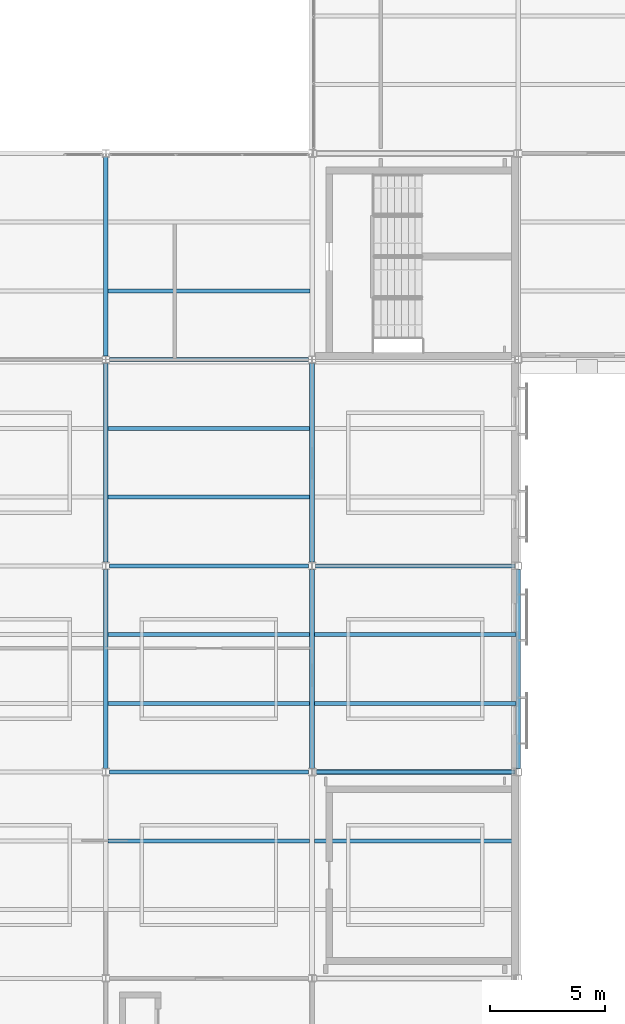
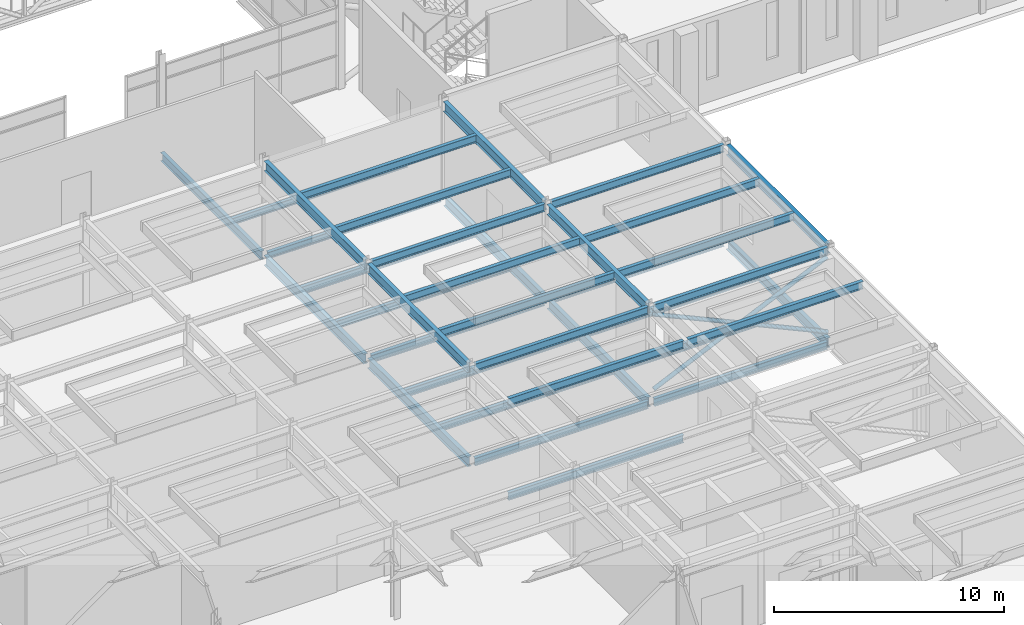
# One storey, part 32 of 115: 36 beams, 2 members.
"""IFC4 building model written with IfcOpenShell, lengths in metres."""

from ifc_helpers import new_model, si_unit, direction, frame, origin, origin_2d, place, context, subcontext, project, spatial, hollow_circle, i_section, extrude, material, material_profile, profile_set, type_object, element, save


model = new_model("IFC4")

# Units and contexts
model_context = context("Model", 3, precision=1e-05, world=origin(), true_north=direction((0.0, 1.0)))
body_context = subcontext(model_context, "Body", "Model", "MODEL_VIEW")
ifc_project = project(units=[si_unit("LENGTHUNIT", "METRE"), si_unit("AREAUNIT", "SQUARE_METRE"), si_unit("VOLUMEUNIT", "CUBIC_METRE"), si_unit("PLANEANGLEUNIT", "RADIAN"), si_unit("MASSUNIT", "GRAM", prefix="KILO")], contexts=[model_context])

# Site, building, storey
site_placement = place(None, origin())
site = spatial("IfcSite", under=ifc_project, at=site_placement, CompositionType="ELEMENT")
building_placement = place(site_placement, origin())
building = spatial("IfcBuilding", under=site, at=building_placement, Name="Shorebreak Coast Museum", CompositionType="ELEMENT")
storey_placement = place(building_placement, frame((0.0, 0.0, 11.0)))
storey = spatial("IfcBuildingStorey", under=building, at=storey_placement, Name="L02", CompositionType="ELEMENT", Elevation=11.0)

# Beams
ifc_material_1 = material(Name="Steel Grade 300", Category="steel")
ifc_material_profile_1 = material_profile(ifc_material_1, i_section(OverallWidth=0.172119140625, OverallDepth=0.358642578125, WebThickness=0.008056640625, FlangeThickness=0.012939453125, FilletRadius=0.011474609375, at=origin_2d()), Name="360UB56.7")
ifc_profile_set_1 = profile_set([ifc_material_profile_1], Name="Steel Grade 300")
beam_type_1 = type_object("IfcBeamType", Name="Floor girder east-west 360UB56.7", PredefinedType="BEAM", material=ifc_profile_set_1)
beam_1_placement = place(storey_placement, frame((99.154541015625, 54.0, -0.354248046875), z_axis=(1.0, 0.0, 0.0), x_axis=(0.0, 1.0, 0.0)))
element("IfcBeam", 1, at=beam_1_placement, inside=storey, type_object=beam_type_1, Name="Floor girder east-west L02 12G", PredefinedType="BEAM", context=body_context, shape_type="SweptSolid", body=[
    extrude(i_section(OverallWidth=0.172119140625, OverallDepth=0.358642578125, WebThickness=0.008056640625, FlangeThickness=0.012939453125, FilletRadius=0.011474609375, at=origin_2d()), origin(), (0.0, 0.0, 1.0), 8.69091796875),
])
ifc_material_2 = material(Name="Steel Grade 300", Category="steel")
ifc_material_profile_2 = material_profile(ifc_material_2, i_section(OverallWidth=0.177978515625, OverallDepth=0.406494140625, WebThickness=0.0078125, FlangeThickness=0.0126953125, FilletRadius=0.011474609375, at=origin_2d()), Name="410UB59.7")
ifc_profile_set_2 = profile_set([ifc_material_profile_2], Name="Steel Grade 300")
beam_type_2 = type_object("IfcBeamType", Name="Floor girder east-west 410UB59.7", PredefinedType="BEAM", material=ifc_profile_set_2)
beam_2_placement = place(storey_placement, frame((99.154541015625, 36.0, -0.378173828125), z_axis=(1.0, 0.0, 0.0), x_axis=(0.0, 1.0, 0.0)))
element("IfcBeam", 2, at=beam_2_placement, inside=storey, type_object=beam_type_2, Name="Floor girder east-west L02 12E", PredefinedType="BEAM", context=body_context, shape_type="SweptSolid", body=[
    extrude(i_section(OverallWidth=0.177978515625, OverallDepth=0.406494140625, WebThickness=0.0078125, FlangeThickness=0.0126953125, FilletRadius=0.011474609375, at=origin_2d()), origin(), (0.0, 0.0, 1.0), 8.69091796875),
])
beam_3_placement = place(storey_placement, frame((108.154541015625, 36.0, -0.378173828125), z_axis=(1.0, 0.0, 0.0), x_axis=(0.0, 1.0, 0.0)))
element("IfcBeam", 3, at=beam_3_placement, inside=storey, type_object=beam_type_2, Name="Floor girder east-west L02 13E", PredefinedType="BEAM", context=body_context, shape_type="SweptSolid", body=[
    extrude(i_section(OverallWidth=0.177978515625, OverallDepth=0.406494140625, WebThickness=0.0078125, FlangeThickness=0.0126953125, FilletRadius=0.011474609375, at=origin_2d()), origin(), (0.0, 0.0, 1.0), 8.695556640625),
])
beam_4_placement = place(storey_placement, frame((99.154541015625, 45.0, -0.378173828125), z_axis=(1.0, 0.0, 0.0), x_axis=(0.0, 1.0, 0.0)))
element("IfcBeam", 4, at=beam_4_placement, inside=storey, type_object=beam_type_2, Name="Floor girder east-west L02 12F", PredefinedType="BEAM", context=body_context, shape_type="SweptSolid", body=[
    extrude(i_section(OverallWidth=0.177978515625, OverallDepth=0.406494140625, WebThickness=0.0078125, FlangeThickness=0.0126953125, FilletRadius=0.011474609375, at=origin_2d()), origin(), (0.0, 0.0, 1.0), 8.69091796875),
])
beam_5_placement = place(storey_placement, frame((108.154541015625, 45.0, -0.378173828125), z_axis=(1.0, 0.0, 0.0), x_axis=(0.0, 1.0, 0.0)))
element("IfcBeam", 5, at=beam_5_placement, inside=storey, type_object=beam_type_2, Name="Floor girder east-west L02 13F", PredefinedType="BEAM", context=body_context, shape_type="SweptSolid", body=[
    extrude(i_section(OverallWidth=0.177978515625, OverallDepth=0.406494140625, WebThickness=0.0078125, FlangeThickness=0.0126953125, FilletRadius=0.011474609375, at=origin_2d()), origin(), (0.0, 0.0, 1.0), 8.695556640625),
])
ifc_material_3 = material(Name="Steel Grade 300", Category="steel")
ifc_material_profile_3 = material_profile(ifc_material_3, i_section(OverallWidth=0.19091796875, OverallDepth=0.46044921875, WebThickness=0.010009765625, FlangeThickness=0.01611328125, FilletRadius=0.011474609375, at=origin_2d()), Name="460UB82.1")
ifc_profile_set_3 = profile_set([ifc_material_profile_3], Name="Steel Grade 300")
beam_type_3 = type_object("IfcBeamType", Name="Floor girder north-south 460UB82.1", PredefinedType="BEAM", material=ifc_profile_set_3)
beam_6_placement = place(storey_placement, frame((99.0, 54.160400390625, -0.4052734375), z_axis=(0.0, 1.0, 0.0), x_axis=(-1.0, 0.0, 0.0)))
element("IfcBeam", 6, at=beam_6_placement, inside=storey, type_object=beam_type_3, Name="Floor girder north-south L02 12G", PredefinedType="BEAM", context=body_context, shape_type="SweptSolid", body=[
    extrude(i_section(OverallWidth=0.19091796875, OverallDepth=0.46044921875, WebThickness=0.010009765625, FlangeThickness=0.01611328125, FilletRadius=0.011474609375, at=origin_2d()), origin(), (0.0, 0.0, 1.0), 8.676025390625),
])
ifc_material_4 = material(Name="Steel Grade 300", Category="steel")
ifc_material_profile_4 = material_profile(ifc_material_4, i_section(OverallWidth=0.208984375, OverallDepth=0.5283203125, WebThickness=0.009521484375, FlangeThickness=0.01318359375, FilletRadius=0.013916015625, at=origin_2d()), Name="530UB82.0")
ifc_profile_set_4 = profile_set([ifc_material_profile_4], Name="Steel Grade 300")
beam_type_4 = type_object("IfcBeamType", Name="Floor girder north-south 530UB82.0", PredefinedType="BEAM", material=ifc_profile_set_4)
for number, where, z_axis, x_axis, name in (
    (7, (99.0, 36.160400390625, -0.439208984375), (0.0, 1.0, 0.0), (-1.0, 0.0, 0.0), "Floor girder north-south L02 12E"),
    (8, (108.0, 36.160400390625, -0.439208984375), (0.0, 1.0, 0.0), (-1.0, 0.0, 0.0), "Floor girder north-south L02 13E"),
):
    element("IfcBeam", number, at=place(storey_placement, frame(where, z_axis=z_axis, x_axis=x_axis)), inside=storey, type_object=beam_type_4, Name=name, PredefinedType="BEAM", context=body_context, shape_type="SweptSolid", body=[
        extrude(i_section(OverallWidth=0.208984375, OverallDepth=0.5283203125, WebThickness=0.009521484375, FlangeThickness=0.01318359375, FilletRadius=0.013916015625, at=origin_2d()), origin(), (0.0, 0.0, 1.0), 8.67919921875),
    ])
beam_7_placement = place(storey_placement, frame((117.0, 36.14990234375, -0.439208984375), z_axis=(0.0, 1.0, 0.0), x_axis=(-1.0, 0.0, 0.0)))
element("IfcBeam", 9, at=beam_7_placement, inside=storey, type_object=beam_type_4, Name="Floor girder north-south L02 14E", PredefinedType="BEAM", context=body_context, shape_type="SweptSolid", body=[
    extrude(i_section(OverallWidth=0.208984375, OverallDepth=0.5283203125, WebThickness=0.009521484375, FlangeThickness=0.01318359375, FilletRadius=0.013916015625, at=origin_2d()), origin(), (0.0, 0.0, 1.0), 8.7001953125),
])
for number, where, z_axis, x_axis, name in (
    (10, (99.0, 45.160400390625, -0.439208984375), (0.0, 1.0, 0.0), (-1.0, 0.0, 0.0), "Floor girder north-south L02 12F"),
    (11, (108.0, 45.160400390625, -0.439208984375), (0.0, 1.0, 0.0), (-1.0, 0.0, 0.0), "Floor girder north-south L02 13F"),
):
    element("IfcBeam", number, at=place(storey_placement, frame(where, z_axis=z_axis, x_axis=x_axis)), inside=storey, type_object=beam_type_4, Name=name, PredefinedType="BEAM", context=body_context, shape_type="SweptSolid", body=[
        extrude(i_section(OverallWidth=0.208984375, OverallDepth=0.5283203125, WebThickness=0.009521484375, FlangeThickness=0.01318359375, FilletRadius=0.013916015625, at=origin_2d()), origin(), (0.0, 0.0, 1.0), 8.67919921875),
    ])
ifc_material_5 = material(Name="Steel Grade 300", Category="steel")
ifc_material_profile_5 = material_profile(ifc_material_5, i_section(OverallWidth=0.1708984375, OverallDepth=0.35205078125, WebThickness=0.0068359375, FlangeThickness=0.009765625, FilletRadius=0.011474609375, at=origin_2d()), Name="360UB44.7")
ifc_profile_set_5 = profile_set([ifc_material_profile_5], Name="Steel Grade 300")
beam_type_5 = type_object("IfcBeamType", Name="Floor joist 360UB44.7", PredefinedType="JOIST", material=ifc_profile_set_5)
beam_8_placement = place(storey_placement, frame((99.095458984375, 57.0, -0.35107421875), z_axis=(1.0, 0.0, 0.0), x_axis=(0.0, 1.0, 0.0)))
element("IfcBeam", 12, at=beam_8_placement, inside=storey, type_object=beam_type_5, Name="Floor joist L02 bay 12G at 3000 mm", PredefinedType="JOIST", context=body_context, shape_type="SweptSolid", body=[
    extrude(i_section(OverallWidth=0.1708984375, OverallDepth=0.35205078125, WebThickness=0.0068359375, FlangeThickness=0.009765625, FilletRadius=0.011474609375, at=origin_2d()), origin(), (0.0, 0.0, 1.0), 8.80908203125),
])
ifc_material_6 = material(Name="Steel Grade 300", Category="steel")
ifc_material_profile_6 = material_profile(ifc_material_6, i_section(OverallWidth=0.177978515625, OverallDepth=0.406494140625, WebThickness=0.0078125, FlangeThickness=0.0126953125, FilletRadius=0.011474609375, at=origin_2d()), Name="410UB59.7")
ifc_profile_set_6 = profile_set([ifc_material_profile_6], Name="Steel Grade 300")
beam_type_6 = type_object("IfcBeamType", Name="Floor joist 410UB59.7", PredefinedType="JOIST", material=ifc_profile_set_6)
for number, where, z_axis, x_axis, name in (
    (13, (99.1044921875, 33.0, -0.378173828125), (1.0, 0.0, 0.0), (0.0, 1.0, 0.0), "Floor joist L02 bay 12D at 6000 mm"),
    (14, (99.1044921875, 39.0, -0.378173828125), (1.0, 0.0, 0.0), (0.0, 1.0, 0.0), "Floor joist L02 bay 12E at 3000 mm"),
    (15, (99.1044921875, 42.0, -0.378173828125), (1.0, 0.0, 0.0), (0.0, 1.0, 0.0), "Floor joist L02 bay 12E at 6000 mm"),
    (16, (108.1044921875, 39.0, -0.378173828125), (1.0, 0.0, 0.0), (0.0, 1.0, 0.0), "Floor joist L02 bay 13E at 3000 mm"),
    (17, (108.1044921875, 42.0, -0.378173828125), (1.0, 0.0, 0.0), (0.0, 1.0, 0.0), "Floor joist L02 bay 13E at 6000 mm"),
    (18, (99.1044921875, 48.0, -0.378173828125), (1.0, 0.0, 0.0), (0.0, 1.0, 0.0), "Floor joist L02 bay 12F at 3000 mm"),
    (19, (99.1044921875, 51.0, -0.378173828125), (1.0, 0.0, 0.0), (0.0, 1.0, 0.0), "Floor joist L02 bay 12F at 6000 mm"),
):
    element("IfcBeam", number, at=place(storey_placement, frame(where, z_axis=z_axis, x_axis=x_axis)), inside=storey, type_object=beam_type_6, Name=name, PredefinedType="JOIST", context=body_context, shape_type="SweptSolid", body=[
        extrude(i_section(OverallWidth=0.177978515625, OverallDepth=0.406494140625, WebThickness=0.0078125, FlangeThickness=0.0126953125, FilletRadius=0.011474609375, at=origin_2d()), origin(), (0.0, 0.0, 1.0), 8.791015625),
    ])
ifc_material_7 = material(Name="Steel Grade 300", Category="steel")
ifc_material_profile_7 = material_profile(ifc_material_7, i_section(OverallWidth=0.177978515625, OverallDepth=0.406494140625, WebThickness=0.0078125, FlangeThickness=0.0126953125, FilletRadius=0.011474609375, at=origin_2d()), Name="410UB59.7")
ifc_profile_set_7 = profile_set([ifc_material_profile_7], Name="Steel Grade 300")
beam_type_7 = type_object("IfcBeamType", Name="Roof deck girder east-west 410UB59.7", PredefinedType="BEAM", material=ifc_profile_set_7)
beam_9_placement = place(storey_placement, frame((99.153564453125, 36.0, 4.621826171875), z_axis=(1.0, 0.0, 0.0), x_axis=(0.0, 1.0, 0.0)))
element("IfcBeam", 20, at=beam_9_placement, inside=storey, type_object=beam_type_7, Name="Roof deck girder east-west L03 12E", PredefinedType="BEAM", context=body_context, shape_type="SweptSolid", body=[
    extrude(i_section(OverallWidth=0.177978515625, OverallDepth=0.406494140625, WebThickness=0.0078125, FlangeThickness=0.0126953125, FilletRadius=0.011474609375, at=origin_2d()), origin(), (0.0, 0.0, 1.0), 8.69287109375),
])
beam_10_placement = place(storey_placement, frame((108.153564453125, 36.0, 4.621826171875), z_axis=(1.0, 0.0, 0.0), x_axis=(0.0, 1.0, 0.0)))
element("IfcBeam", 21, at=beam_10_placement, inside=storey, type_object=beam_type_7, Name="Roof deck girder east-west L03 13E", PredefinedType="BEAM", context=body_context, shape_type="SweptSolid", body=[
    extrude(i_section(OverallWidth=0.177978515625, OverallDepth=0.406494140625, WebThickness=0.0078125, FlangeThickness=0.0126953125, FilletRadius=0.011474609375, at=origin_2d()), origin(), (0.0, 0.0, 1.0), 8.696533203125),
])
beam_11_placement = place(storey_placement, frame((99.153564453125, 45.0, 4.621826171875), z_axis=(1.0, 0.0, 0.0), x_axis=(0.0, 1.0, 0.0)))
element("IfcBeam", 22, at=beam_11_placement, inside=storey, type_object=beam_type_7, Name="Roof deck girder east-west L03 12F", PredefinedType="BEAM", context=body_context, shape_type="SweptSolid", body=[
    extrude(i_section(OverallWidth=0.177978515625, OverallDepth=0.406494140625, WebThickness=0.0078125, FlangeThickness=0.0126953125, FilletRadius=0.011474609375, at=origin_2d()), origin(), (0.0, 0.0, 1.0), 8.69287109375),
])
beam_12_placement = place(storey_placement, frame((108.153564453125, 45.0, 4.621826171875), z_axis=(1.0, 0.0, 0.0), x_axis=(0.0, 1.0, 0.0)))
element("IfcBeam", 23, at=beam_12_placement, inside=storey, type_object=beam_type_7, Name="Roof deck girder east-west L03 13F", PredefinedType="BEAM", context=body_context, shape_type="SweptSolid", body=[
    extrude(i_section(OverallWidth=0.177978515625, OverallDepth=0.406494140625, WebThickness=0.0078125, FlangeThickness=0.0126953125, FilletRadius=0.011474609375, at=origin_2d()), origin(), (0.0, 0.0, 1.0), 8.696533203125),
])
ifc_material_8 = material(Name="Steel Grade 300", Category="steel")
ifc_material_profile_8 = material_profile(ifc_material_8, i_section(OverallWidth=0.208984375, OverallDepth=0.5283203125, WebThickness=0.009521484375, FlangeThickness=0.01318359375, FilletRadius=0.013916015625, at=origin_2d()), Name="530UB82.0")
ifc_profile_set_8 = profile_set([ifc_material_profile_8], Name="Steel Grade 300")
beam_type_8 = type_object("IfcBeamType", Name="Roof deck girder north-south 530UB82.0", PredefinedType="BEAM", material=ifc_profile_set_8)
for number, where, z_axis, x_axis, name in (
    (24, (99.0, 36.1572265625, 4.560791015625), (0.0, 1.0, 0.0), (-1.0, 0.0, 0.0), "Roof deck girder north-south L03 12E"),
    (25, (108.0, 36.1572265625, 4.560791015625), (0.0, 1.0, 0.0), (-1.0, 0.0, 0.0), "Roof deck girder north-south L03 13E"),
):
    element("IfcBeam", number, at=place(storey_placement, frame(where, z_axis=z_axis, x_axis=x_axis)), inside=storey, type_object=beam_type_8, Name=name, PredefinedType="BEAM", context=body_context, shape_type="SweptSolid", body=[
        extrude(i_section(OverallWidth=0.208984375, OverallDepth=0.5283203125, WebThickness=0.009521484375, FlangeThickness=0.01318359375, FilletRadius=0.013916015625, at=origin_2d()), origin(), (0.0, 0.0, 1.0), 8.685546875),
    ])
beam_13_placement = place(storey_placement, frame((117.0, 36.14990234375, 4.560791015625), z_axis=(0.0, 1.0, 0.0), x_axis=(-1.0, 0.0, 0.0)))
element("IfcBeam", 26, at=beam_13_placement, inside=storey, type_object=beam_type_8, Name="Roof deck girder north-south L03 14E", PredefinedType="BEAM", context=body_context, shape_type="SweptSolid", body=[
    extrude(i_section(OverallWidth=0.208984375, OverallDepth=0.5283203125, WebThickness=0.009521484375, FlangeThickness=0.01318359375, FilletRadius=0.013916015625, at=origin_2d()), origin(), (0.0, 0.0, 1.0), 8.7001953125),
])
for number, where, z_axis, x_axis, name in (
    (27, (99.0, 45.1572265625, 4.560791015625), (0.0, 1.0, 0.0), (-1.0, 0.0, 0.0), "Roof deck girder north-south L03 12F"),
    (28, (108.0, 45.1572265625, 4.560791015625), (0.0, 1.0, 0.0), (-1.0, 0.0, 0.0), "Roof deck girder north-south L03 13F"),
):
    element("IfcBeam", number, at=place(storey_placement, frame(where, z_axis=z_axis, x_axis=x_axis)), inside=storey, type_object=beam_type_8, Name=name, PredefinedType="BEAM", context=body_context, shape_type="SweptSolid", body=[
        extrude(i_section(OverallWidth=0.208984375, OverallDepth=0.5283203125, WebThickness=0.009521484375, FlangeThickness=0.01318359375, FilletRadius=0.013916015625, at=origin_2d()), origin(), (0.0, 0.0, 1.0), 8.685546875),
    ])
ifc_material_9 = material(Name="Steel Grade 300", Category="steel")
ifc_material_profile_9 = material_profile(ifc_material_9, i_section(OverallWidth=0.177978515625, OverallDepth=0.402587890625, WebThickness=0.007568359375, FlangeThickness=0.010986328125, FilletRadius=0.011474609375, at=origin_2d()), Name="410UB53.7")
ifc_profile_set_9 = profile_set([ifc_material_profile_9], Name="Steel Grade 300")
beam_type_9 = type_object("IfcBeamType", Name="Roof deck joist 410UB53.7", PredefinedType="JOIST", material=ifc_profile_set_9)
for number, where, z_axis, x_axis, name in (
    (29, (99.1044921875, 33.0, 4.623779296875), (1.0, 0.0, 0.0), (0.0, 1.0, 0.0), "Roof deck joist L03 bay 12D at 6000 mm"),
    (30, (108.1044921875, 33.0, 4.623779296875), (1.0, 0.0, 0.0), (0.0, 1.0, 0.0), "Roof deck joist L03 bay 13D at 6000 mm"),
    (31, (99.1044921875, 39.0, 4.623779296875), (1.0, 0.0, 0.0), (0.0, 1.0, 0.0), "Roof deck joist L03 bay 12E at 3000 mm"),
    (32, (99.1044921875, 42.0, 4.623779296875), (1.0, 0.0, 0.0), (0.0, 1.0, 0.0), "Roof deck joist L03 bay 12E at 6000 mm"),
    (33, (108.1044921875, 39.0, 4.623779296875), (1.0, 0.0, 0.0), (0.0, 1.0, 0.0), "Roof deck joist L03 bay 13E at 3000 mm"),
    (34, (108.1044921875, 42.0, 4.623779296875), (1.0, 0.0, 0.0), (0.0, 1.0, 0.0), "Roof deck joist L03 bay 13E at 6000 mm"),
    (35, (99.1044921875, 48.0, 4.623779296875), (1.0, 0.0, 0.0), (0.0, 1.0, 0.0), "Roof deck joist L03 bay 12F at 3000 mm"),
    (36, (99.1044921875, 51.0, 4.623779296875), (1.0, 0.0, 0.0), (0.0, 1.0, 0.0), "Roof deck joist L03 bay 12F at 6000 mm"),
):
    element("IfcBeam", number, at=place(storey_placement, frame(where, z_axis=z_axis, x_axis=x_axis)), inside=storey, type_object=beam_type_9, Name=name, PredefinedType="JOIST", context=body_context, shape_type="SweptSolid", body=[
        extrude(i_section(OverallWidth=0.177978515625, OverallDepth=0.402587890625, WebThickness=0.007568359375, FlangeThickness=0.010986328125, FilletRadius=0.011474609375, at=origin_2d()), origin(), (0.0, 0.0, 1.0), 8.791015625),
    ])

# Members
ifc_material_10 = material(Name="Steel Grade C350L0", Category="steel")
ifc_material_profile_10 = material_profile(ifc_material_10, hollow_circle(Radius=0.109619140625, WallThickness=0.00830078125, at=origin_2d()), Name="219.1x8.2 CHS")
ifc_profile_set_10 = profile_set([ifc_material_profile_10], Name="Steel Grade C350L0")
member_type = type_object("IfcMemberType", Name="X-brace 219.1x8.2 CHS", PredefinedType="BRACE", material=ifc_profile_set_10)
for number, where, z_axis, x_axis, name in (
    (37, (108.153564453125, 36.0, 0.300048828125), (0.90950233373, 0.0, 0.415698815178), (0.0, 1.0, 0.0), "X-brace bay 18 L02 diagonal 1"),
    (38, (116.85009765625, 36.0, 0.300048828125), (-0.90950233373, 0.0, 0.415698815178), (0.0, -1.0, 0.0), "X-brace bay 18 L02 diagonal 2"),
):
    element("IfcMember", number, at=place(storey_placement, frame(where, z_axis=z_axis, x_axis=x_axis)), inside=storey, type_object=member_type, Name=name, PredefinedType="BRACE", context=body_context, shape_type="SweptSolid", body=[
        extrude(hollow_circle(Radius=0.109619140625, WallThickness=0.00830078125, at=origin_2d()), origin(), (0.0, 0.0, 1.0), 9.561767578125),
    ])

save(model, "model.ifc")
